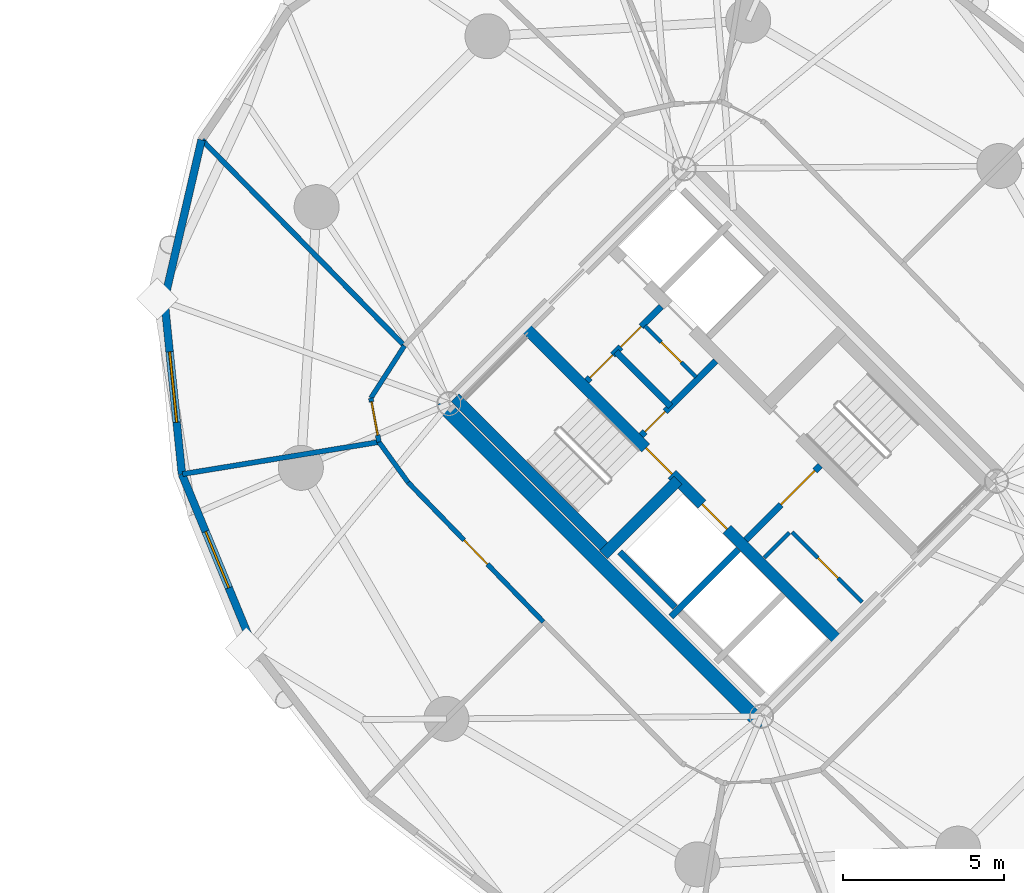
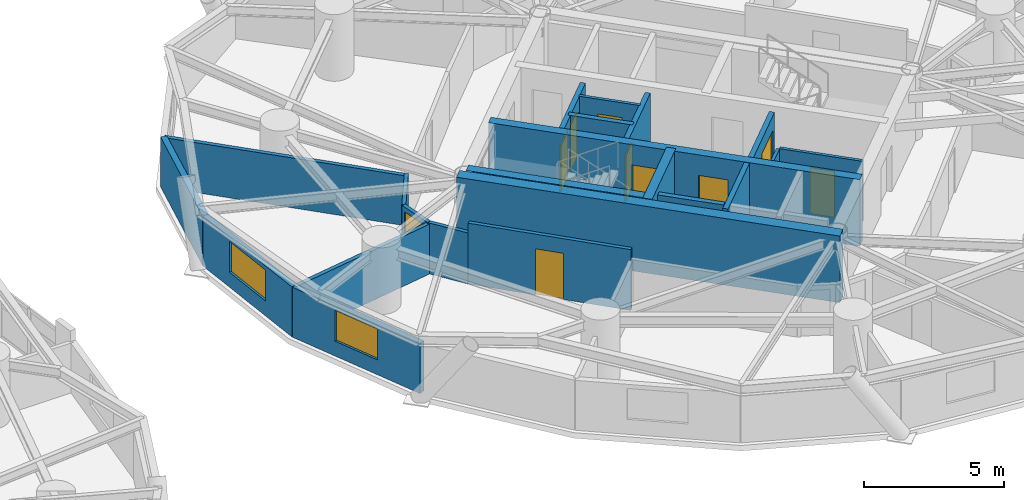
# One storey, part 13 of 19: 22 walls, 10 doors, 2 windows, 12 openings.
"""IFC4 building model written with IfcOpenShell, lengths in metres."""

from ifc_helpers import new_model, si_unit, direction, frame, frame_2d, origin, place, context, subcontext, project, spatial, rectangle, extrude, source, transform, mapped, material, layer, layer_set, type_object, element, fill, save


model = new_model("IFC4")

# Units and contexts
model_context = context("Model", 3, precision=1e-05, world=origin(), true_north=direction((0.0, 1.0)))
body_context = subcontext(model_context, "Body", "Model", "MODEL_VIEW")
ifc_project = project(units=[si_unit("LENGTHUNIT", "METRE"), si_unit("AREAUNIT", "SQUARE_METRE"), si_unit("VOLUMEUNIT", "CUBIC_METRE"), si_unit("PLANEANGLEUNIT", "RADIAN"), si_unit("MASSUNIT", "GRAM", prefix="KILO")], contexts=[model_context])

# Site, building, storey
site_placement = place(None, origin())
site = spatial("IfcSite", under=ifc_project, at=site_placement, CompositionType="ELEMENT")
building_placement = place(site_placement, origin())
building = spatial("IfcBuilding", under=site, at=building_placement, Name="Cununo Teusaquillo Station Towers", CompositionType="ELEMENT")
storey_placement = place(building_placement, frame((0.0, 0.0, 84.699951171875)))
storey = spatial("IfcBuildingStorey", under=building, at=storey_placement, Name="L26", CompositionType="ELEMENT", Elevation=84.699951171875)

# Walls
ifc_material_1 = material(Name="Concrete C50/60", Category="concrete")
ifc_layer_1 = layer(ifc_material_1, 0.199951171875)
ifc_layer_set_1 = layer_set([ifc_layer_1], Name="Concrete C50/60")
wall_type_1 = type_object("IfcWallType", Name="WL-CORE-200", PredefinedType="SHEAR", material=ifc_layer_set_1)
wall_1_placement = place(storey_placement, frame((55.8876953125, 19.0693359375, 0.0), z_axis=(0.0, 0.0, 1.0), x_axis=(0.707106781187, 0.707106781187, 0.0)))
element("IfcWall", 1, at=wall_1_placement, inside=storey, type_object=wall_type_1, Name="L26 Tower B Firefighting Lift Shaft South Shear Wall", PredefinedType="SHEAR", context=body_context, shape_type="SweptSolid", body=[
    extrude(rectangle(XDim=2.969970703125, YDim=0.199951171875, at=frame_2d((1.48486328125, 0.0))), origin(), (0.0, 0.0, 1.0), 2.91015625),
])
wall_2_placement = place(storey_placement, frame((56.01513671875, 19.366455078125, 0.0), z_axis=(0.0, 0.0, 1.0), x_axis=(-0.707106781187, 0.707106781187, 0.0)))
element("IfcWall", 2, at=wall_2_placement, inside=storey, type_object=wall_type_1, Name="L26 Tower B Firefighting Lift Shaft Rear Shear Wall", PredefinedType="SHEAR", context=body_context, shape_type="SweptSolid", body=[
    extrude(rectangle(XDim=2.43994140625, YDim=0.199951171875, at=frame_2d((1.219970703125, 0.0))), origin(), (0.0, 0.0, 1.0), 2.91015625),
])

# Wall, openings, doors
ifc_material_2 = material(Name="Concrete C50/60", Category="concrete")
ifc_layer_2 = layer(ifc_material_2, 0.35009765625)
ifc_layer_set_2 = layer_set([ifc_layer_2], Name="Concrete C50/60")
wall_type_2 = type_object("IfcWallType", Name="WL-CORE-350", PredefinedType="SHEAR", material=ifc_layer_set_2)
wall_3_placement = place(storey_placement, frame((61.077880859375, 18.355224609375, 0.0), z_axis=(0.0, 0.0, 1.0), x_axis=(-0.707106781187, 0.707106781187, 0.0)))
wall_3 = element("IfcWall", 3, at=wall_3_placement, inside=storey, type_object=wall_type_2, Name="L26 Tower B Core Shear Wall IW", PredefinedType="SHEAR", context=body_context, shape_type="SweptSolid", body=[
    extrude(rectangle(XDim=13.75, YDim=0.35009765625, at=frame_2d((6.875, 0.0))), origin(), (0.0, 0.0, 1.0), 2.91015625),
])
shared_shape_1 = source(origin(), body_context, "Body", "SweptSolid", [
    extrude(rectangle(XDim=1.10009765625, YDim=2.014892578125, at=frame_2d((0.550048828125, 1.00732421875))), frame((0.0, 0.18505859375, 0.0), z_axis=(0.0, -1.0, 0.0), x_axis=(1.0, 0.0, 0.0)), (0.0, 0.0, 1.0), 0.3701171875),
])
opening_1_placement = place(wall_3_placement, frame((4.875, 0.0, 0.0)))
opening_1 = element("IfcOpeningElement", 4, at=opening_1_placement, cuts=wall_3, Name="Opening LD-01", PredefinedType="OPENING", context=body_context, shape_type="MappedRepresentation", body=[
    mapped(shared_shape_1, transform((0.0, 0.0, 0.0), x_axis=(1.0, 0.0, 0.0), y_axis=(0.0, 1.0, 0.0), z_axis=(0.0, 0.0, 1.0), scale=1.0)),
])
shared_shape_2 = source(origin(), body_context, "Body", "SweptSolid", [
    extrude(rectangle(XDim=1.14990234375, YDim=2.02001953125, at=frame_2d((0.574951171875, 1.010009765625))), frame((0.0, 0.18505859375, 0.0), z_axis=(0.0, -1.0, 0.0), x_axis=(1.0, 0.0, 0.0)), (0.0, 0.0, 1.0), 0.3701171875),
])
opening_2_placement = place(wall_3_placement, frame((7.294921875, 0.0, 0.0)))
opening_2 = element("IfcOpeningElement", 5, at=opening_2_placement, cuts=wall_3, Name="Opening D-ST1", PredefinedType="OPENING", context=body_context, shape_type="MappedRepresentation", body=[
    mapped(shared_shape_2, transform((0.0, 0.0, 0.0), x_axis=(1.0, 0.0, 0.0), y_axis=(0.0, 1.0, 0.0), z_axis=(0.0, 0.0, 1.0), scale=1.0)),
])
ifc_material_3 = material(Name="Galvanised fire-rated hollow steel door assembly", Category="steel")
door_type_1 = type_object("IfcDoorType", Name="DR-LIFT-1100", OperationType="SLIDING_TO_LEFT", PredefinedType="DOOR", material=ifc_material_3)
shared_shape_3 = source(origin(), body_context, "Body", "SweptSolid", [
    extrude(rectangle(XDim=1.10009765625, YDim=2.014892578125, at=frame_2d((0.550048828125, 1.00732421875))), frame((0.0, 0.02490234375, 0.0), z_axis=(0.0, -1.0, 0.0), x_axis=(1.0, 0.0, 0.0)), (0.0, 0.0, 1.0), 0.050048828125),
])
door_1_placement = place(opening_1_placement, origin())
door_1 = element("IfcDoor", 6, at=door_1_placement, inside=storey, type_object=door_type_1, Name="L26 Lift FL-T2 Sliding Landing Door", OperationType="SLIDING_TO_RIGHT", OverallHeight=2.014892578125, OverallWidth=1.10009765625, PredefinedType="DOOR", context=body_context, shape_type="MappedRepresentation", body=[
    mapped(shared_shape_3, transform((0.0, 0.0, 0.0), x_axis=(1.0, 0.0, 0.0), y_axis=(0.0, 1.0, 0.0), z_axis=(0.0, 0.0, 1.0), scale=1.0)),
])
fill(opening_1, door_1)
ifc_material_4 = material(Name="Galvanised fire-rated hollow steel door assembly", Category="steel")
door_type_2 = type_object("IfcDoorType", Name="DR-STAIR-1150", OperationType="NOTDEFINED", PredefinedType="DOOR", material=ifc_material_4)
shared_shape_4 = source(origin(), body_context, "Body", "SweptSolid", [
    extrude(rectangle(XDim=1.14990234375, YDim=2.02001953125, at=frame_2d((0.574951171875, 1.010009765625))), frame((0.0, 0.02490234375, 0.0), z_axis=(0.0, -1.0, 0.0), x_axis=(1.0, 0.0, 0.0)), (0.0, 0.0, 1.0), 0.050048828125),
])
door_2_placement = place(opening_2_placement, origin())
door_2 = element("IfcDoor", 7, at=door_2_placement, inside=storey, type_object=door_type_2, Name="L26 Tower B Exit Stair 1 Fire Door", OperationType="SINGLE_SWING_RIGHT", OverallHeight=2.02001953125, OverallWidth=1.14990234375, PredefinedType="DOOR", context=body_context, shape_type="MappedRepresentation", body=[
    mapped(shared_shape_4, transform((0.0, 0.0, 0.0), x_axis=(1.0, 0.0, 0.0), y_axis=(0.0, 1.0, 0.0), z_axis=(0.0, 0.0, 1.0), scale=1.0)),
])
fill(opening_2, door_2)

# Walls
wall_4_placement = place(storey_placement, frame((53.922119140625, 21.14111328125, 0.0), z_axis=(0.0, 0.0, 1.0), x_axis=(-0.707088616009, 0.707124945897, 0.0)))
element("IfcWall", 8, at=wall_4_placement, inside=storey, type_object=wall_type_2, Name="L26 Tower B Core Shear Wall ST1W", PredefinedType="SHEAR", context=body_context, shape_type="SweptSolid", body=[
    extrude(rectangle(XDim=6.72021484375, YDim=0.35009765625, at=frame_2d((3.360107421875, 0.0))), origin(), (0.0, 0.0, 1.0), 2.91015625),
])
wall_5_placement = place(storey_placement, frame((53.7841796875, 21.00341796875, 0.0), z_axis=(0.0, 0.0, 1.0), x_axis=(0.707106781187, 0.707106781187, 0.0)))
element("IfcWall", 9, at=wall_5_placement, inside=storey, type_object=wall_type_2, Name="L26 Tower B Core Shear Wall ST1S", PredefinedType="SHEAR", context=body_context, shape_type="SweptSolid", body=[
    extrude(rectangle(XDim=3.284912109375, YDim=0.35009765625, at=frame_2d((1.642578125, 0.0))), origin(), (0.0, 0.0, 1.0), 2.91015625),
])
ifc_material_5 = material(Name="Concrete C60/75", Category="concrete")
ifc_layer_3 = layer(ifc_material_5, 0.449951171875)
ifc_layer_set_3 = layer_set([ifc_layer_3], Name="Concrete C60/75")
wall_type_3 = type_object("IfcWallType", Name="WL-CORE-450", PredefinedType="SHEAR", material=ifc_layer_set_3)
wall_6_placement = place(storey_placement, frame((58.7373046875, 15.696533203125, 0.0), z_axis=(0.0, 0.0, 1.0), x_axis=(-0.707106781187, 0.707106781187, 0.0)))
element("IfcWall", 10, at=wall_6_placement, inside=storey, type_object=wall_type_3, Name="L26 Tower B Core Shear Wall W", PredefinedType="SHEAR", context=body_context, shape_type="SweptSolid", body=[
    extrude(rectangle(XDim=14.19970703125, YDim=0.449951171875, at=frame_2d((7.099853515625, 0.0))), origin(), (0.0, 0.0, 1.0), 2.91015625),
])
ifc_material_6 = material(Name="Precast concrete C40/50", Category="concrete")
ifc_layer_4 = layer(ifc_material_6, 0.239990234375)
ifc_layer_set_4 = layer_set([ifc_layer_4], Name="Precast concrete C40/50")
wall_type_4 = type_object("IfcWallType", Name="WL-EXT-240", PredefinedType="SOLIDWALL", material=ifc_layer_set_4)
wall_7_placement = place(storey_placement, frame((40.114990234375, 28.933349609375, 0.0), z_axis=(0.0, 0.0, 1.0), x_axis=(0.225834725257, 0.974165631126, 0.0)))
element("IfcWall", 11, at=wall_7_placement, inside=storey, type_object=wall_type_4, Name="L26 Tower B Exterior Facade Wall C06", PredefinedType="SOLIDWALL", context=body_context, shape_type="SweptSolid", body=[
    extrude(rectangle(XDim=5.118896484375, YDim=0.239990234375, at=frame_2d((2.5595703125, 0.0))), origin(), (0.0, 0.0, 1.0), 2.178955078125),
])

# Wall, opening, window
wall_8_placement = place(storey_placement, frame((40.66064453125, 23.5126953125, 0.0), z_axis=(0.0, 0.0, 1.0), x_axis=(-0.10015591906, 0.994971754311, 0.0)))
wall_8 = element("IfcWall", 12, at=wall_8_placement, inside=storey, type_object=wall_type_4, Name="L26 Tower B Exterior Facade Wall C07", PredefinedType="SOLIDWALL", context=body_context, shape_type="SweptSolid", body=[
    extrude(rectangle(XDim=5.447998046875, YDim=0.239990234375, at=frame_2d((2.72412109375, 0.0))), origin(), (0.0, 0.0, 1.0), 2.178955078125),
])
shared_shape_5 = source(origin(), body_context, "Body", "SweptSolid", [
    extrude(rectangle(XDim=2.199951171875, YDim=1.35009765625, at=frame_2d((1.10009765625, 0.675048828125))), frame((0.0, 0.1298828125, 0.0), z_axis=(0.0, -1.0, 0.0), x_axis=(1.0, 0.0, 0.0)), (0.0, 0.0, 1.0), 0.260009765625),
])
opening_3_placement = place(wall_8_placement, frame((1.6240234375, 0.0, 0.64990234375)))
opening_3 = element("IfcOpeningElement", 13, at=opening_3_placement, cuts=wall_8, Name="Opening WN-01", PredefinedType="OPENING", context=body_context, shape_type="MappedRepresentation", body=[
    mapped(shared_shape_5, transform((0.0, 0.0, 0.0), x_axis=(1.0, 0.0, 0.0), y_axis=(0.0, 1.0, 0.0), z_axis=(0.0, 0.0, 1.0), scale=1.0)),
])
ifc_material_7 = material(Name="Ceramic-fritted dark low-E double glazing", Category="glass")
window_type_1 = type_object("IfcWindowType", Name="WIN-FRIT-2200", PartitioningType="DOUBLE_PANEL_VERTICAL", PredefinedType="WINDOW", material=ifc_material_7)
shared_shape_6 = source(origin(), body_context, "Body", "SweptSolid", [
    extrude(rectangle(XDim=2.199951171875, YDim=1.35009765625, at=frame_2d((1.10009765625, 0.675048828125))), frame((0.0, 0.030029296875, 0.0), z_axis=(0.0, -1.0, 0.0), x_axis=(1.0, 0.0, 0.0)), (0.0, 0.0, 1.0), 0.06005859375),
])
window_1_placement = place(opening_3_placement, origin())
window_1 = element("IfcWindow", 14, at=window_1_placement, inside=storey, type_object=window_type_1, Name="L26 Tower B Facade Window C07", OverallHeight=1.35009765625, OverallWidth=2.199951171875, PartitioningType="DOUBLE_PANEL_VERTICAL", PredefinedType="WINDOW", context=body_context, shape_type="MappedRepresentation", body=[
    mapped(shared_shape_6, transform((0.0, 0.0, 0.0), x_axis=(1.0, 0.0, 0.0), y_axis=(0.0, 1.0, 0.0), z_axis=(0.0, 0.0, 1.0), scale=1.0)),
])
fill(opening_3, window_1)

wall_9_placement = place(storey_placement, frame((42.854736328125, 18.188720703125, 0.0), z_axis=(0.0, 0.0, 1.0), x_axis=(-0.381027003055, 0.924563909604, 0.0)))
wall_9 = element("IfcWall", 15, at=wall_9_placement, inside=storey, type_object=wall_type_4, Name="L26 Tower B Exterior Facade Wall C08", PredefinedType="SOLIDWALL", context=body_context, shape_type="SweptSolid", body=[
    extrude(rectangle(XDim=5.75830078125, YDim=0.239990234375, at=frame_2d((2.879150390625, 0.0))), origin(), (0.0, 0.0, 1.0), 2.178955078125),
])
shared_shape_7 = source(origin(), body_context, "Body", "SweptSolid", [
    extrude(rectangle(XDim=1.89990234375, YDim=1.35009765625, at=frame_2d((0.949951171875, 0.675048828125))), frame((0.0, 0.1298828125, 0.0), z_axis=(0.0, -1.0, 0.0), x_axis=(1.0, 0.0, 0.0)), (0.0, 0.0, 1.0), 0.260009765625),
])
opening_4_placement = place(wall_9_placement, frame((1.928955078125, 0.0, 0.64990234375)))
opening_4 = element("IfcOpeningElement", 16, at=opening_4_placement, cuts=wall_9, Name="Opening WN-02", PredefinedType="OPENING", context=body_context, shape_type="MappedRepresentation", body=[
    mapped(shared_shape_7, transform((0.0, 0.0, 0.0), x_axis=(1.0, 0.0, 0.0), y_axis=(0.0, 1.0, 0.0), z_axis=(0.0, 0.0, 1.0), scale=1.0)),
])
ifc_material_8 = material(Name="Operable acoustic tinted low-E double glazing", Category="glass")
window_type_2 = type_object("IfcWindowType", Name="WIN-OPER-1900", PartitioningType="DOUBLE_PANEL_VERTICAL", PredefinedType="WINDOW", material=ifc_material_8)
shared_shape_8 = source(origin(), body_context, "Body", "SweptSolid", [
    extrude(rectangle(XDim=1.89990234375, YDim=1.35009765625, at=frame_2d((0.949951171875, 0.675048828125))), frame((0.0, 0.030029296875, 0.0), z_axis=(0.0, -1.0, 0.0), x_axis=(1.0, 0.0, 0.0)), (0.0, 0.0, 1.0), 0.06005859375),
])
window_2_placement = place(opening_4_placement, origin())
window_2 = element("IfcWindow", 17, at=window_2_placement, inside=storey, type_object=window_type_2, Name="L26 Tower B Facade Window C08", OverallHeight=1.35009765625, OverallWidth=1.89990234375, PartitioningType="DOUBLE_PANEL_VERTICAL", PredefinedType="WINDOW", context=body_context, shape_type="MappedRepresentation", body=[
    mapped(shared_shape_8, transform((0.0, 0.0, 0.0), x_axis=(1.0, 0.0, 0.0), y_axis=(0.0, 1.0, 0.0), z_axis=(0.0, 0.0, 1.0), scale=1.0)),
])
fill(opening_4, window_2)

# Wall, opening, door
ifc_material_9 = material(Name="Fire-rated gypsum plasterboard partition assembly", Category="gypsum")
ifc_layer_5 = layer(ifc_material_9, 0.125)
ifc_layer_set_5 = layer_set([ifc_layer_5], Name="Fire-rated gypsum plasterboard partition assembly")
wall_type_5 = type_object("IfcWallType", Name="WL-PART-125", PredefinedType="PARTITIONING", material=ifc_layer_set_5)
wall_10_placement = place(storey_placement, frame((61.834716796875, 19.529052734375, 0.0), z_axis=(0.0, 0.0, 1.0), x_axis=(-0.707146413884, 0.707067146267, 0.0)))
wall_10 = element("IfcWall", 18, at=wall_10_placement, inside=storey, type_object=wall_type_5, Name="L26 Tower B South-West Tall Store East Wall", PredefinedType="PARTITIONING", context=body_context, shape_type="SweptSolid", body=[
    extrude(rectangle(XDim=3.079833984375, YDim=0.125, at=frame_2d((1.5400390625, 0.0))), origin(), (0.0, 0.0, 1.0), 2.655029296875),
])
shared_shape_9 = source(origin(), body_context, "Body", "SweptSolid", [
    extrude(rectangle(XDim=0.89990234375, YDim=2.0048828125, at=frame_2d((0.449951171875, 1.00244140625))), frame((0.0, 0.072509765625, 0.0), z_axis=(0.0, -1.0, 0.0), x_axis=(1.0, 0.0, 0.0)), (0.0, 0.0, 1.0), 0.14501953125),
])
opening_5_placement = place(wall_10_placement, frame((1.050048828125, 0.0, 0.0)))
opening_5 = element("IfcOpeningElement", 19, at=opening_5_placement, cuts=wall_10, Name="Opening D-SR1", PredefinedType="OPENING", context=body_context, shape_type="MappedRepresentation", body=[
    mapped(shared_shape_9, transform((0.0, 0.0, 0.0), x_axis=(1.0, 0.0, 0.0), y_axis=(0.0, 1.0, 0.0), z_axis=(0.0, 0.0, 1.0), scale=1.0)),
])
ifc_material_10 = material(Name="Galvanised fire-rated hollow steel door assembly", Category="steel")
door_type_3 = type_object("IfcDoorType", Name="DR-STORE-900", OperationType="NOTDEFINED", PredefinedType="DOOR", material=ifc_material_10)
shared_shape_10 = source(origin(), body_context, "Body", "SweptSolid", [
    extrude(rectangle(XDim=0.89990234375, YDim=2.0048828125, at=frame_2d((0.449951171875, 1.00244140625))), frame((0.0, 0.02490234375, 0.0), z_axis=(0.0, -1.0, 0.0), x_axis=(1.0, 0.0, 0.0)), (0.0, 0.0, 1.0), 0.050048828125),
])
door_3_placement = place(opening_5_placement, origin())
door_3 = element("IfcDoor", 20, at=door_3_placement, inside=storey, type_object=door_type_3, Name="L26 Tower B South Cleaners Store Door", OperationType="SINGLE_SWING_RIGHT", OverallHeight=2.0048828125, OverallWidth=0.89990234375, PredefinedType="DOOR", context=body_context, shape_type="MappedRepresentation", body=[
    mapped(shared_shape_10, transform((0.0, 0.0, 0.0), x_axis=(1.0, 0.0, 0.0), y_axis=(0.0, 1.0, 0.0), z_axis=(0.0, 0.0, 1.0), scale=1.0)),
])
fill(opening_5, door_3)

# Wall
wall_11_placement = place(storey_placement, frame((58.7939453125, 20.9150390625, 0.0), z_axis=(0.0, 0.0, 1.0), x_axis=(0.707106781187, 0.707106781187, 0.0)))
element("IfcWall", 21, at=wall_11_placement, inside=storey, type_object=wall_type_5, Name="L26 Tower B South-West Tall Store North Wall", PredefinedType="PARTITIONING", context=body_context, shape_type="SweptSolid", body=[
    extrude(rectangle(XDim=1.10009765625, YDim=0.125, at=frame_2d((0.550048828125, 0.0))), origin(), (0.0, 0.0, 1.0), 2.655029296875),
])

# Wall, opening, door
wall_12_placement = place(storey_placement, frame((56.672607421875, 26.529296875, 0.0), z_axis=(0.0, 0.0, 1.0), x_axis=(-0.707052764397, 0.70716079385, 0.0)))
wall_12 = element("IfcWall", 22, at=wall_12_placement, inside=storey, type_object=wall_type_5, Name="L26 Tower B Core Vertical Split Wall", PredefinedType="PARTITIONING", context=body_context, shape_type="SweptSolid", body=[
    extrude(rectangle(XDim=2.260009765625, YDim=0.125, at=frame_2d((1.1298828125, 0.0))), origin(), (0.0, 0.0, 1.0), 2.655029296875),
])
opening_6_placement = place(wall_12_placement, frame((0.64990234375, 0.0, 0.0)))
opening_6 = element("IfcOpeningElement", 23, at=opening_6_placement, cuts=wall_12, Name="Opening D-SR1", PredefinedType="OPENING", context=body_context, shape_type="MappedRepresentation", body=[
    mapped(shared_shape_9, transform((0.0, 0.0, 0.0), x_axis=(1.0, 0.0, 0.0), y_axis=(0.0, 1.0, 0.0), z_axis=(0.0, 0.0, 1.0), scale=1.0)),
])
door_4_placement = place(opening_6_placement, origin())
door_4 = element("IfcDoor", 24, at=door_4_placement, inside=storey, type_object=door_type_3, Name="L26 Tower B Core Electrical Room Door", OperationType="SINGLE_SWING_RIGHT", OverallHeight=2.0048828125, OverallWidth=0.89990234375, PredefinedType="DOOR", context=body_context, shape_type="MappedRepresentation", body=[
    mapped(shared_shape_10, transform((0.0, 0.0, 0.0), x_axis=(1.0, 0.0, 0.0), y_axis=(0.0, 1.0, 0.0), z_axis=(0.0, 0.0, 1.0), scale=1.0)),
])
fill(opening_6, door_4)

# Wall
ifc_material_11 = material(Name="Fire-rated gypsum plasterboard partition assembly", Category="gypsum")
ifc_layer_6 = layer(ifc_material_11, 0.14990234375)
ifc_layer_set_6 = layer_set([ifc_layer_6], Name="Fire-rated gypsum plasterboard partition assembly")
wall_type_6 = type_object("IfcWallType", Name="WL-PART-150", PredefinedType="PARTITIONING", material=ifc_layer_set_6)
wall_13_placement = place(storey_placement, frame((47.58837890625, 27.51025390625, 0.0), z_axis=(0.0, 0.0, 1.0), x_axis=(-0.540202619347, -0.841534984449, 0.0)))
element("IfcWall", 25, at=wall_13_placement, inside=storey, type_object=wall_type_6, Name="L26 Tower B Corridor Ring Wall C06", PredefinedType="PARTITIONING", context=body_context, shape_type="SweptSolid", body=[
    extrude(rectangle(XDim=1.934814453125, YDim=0.14990234375, at=frame_2d((0.96728515625, 0.0))), origin(), (0.0, 0.0, 1.0), 2.22509765625),
])

# Wall, opening, door
wall_14_placement = place(storey_placement, frame((46.543212890625, 25.882080078125, 0.0), z_axis=(0.0, 0.0, 1.0), x_axis=(0.181153502579, -0.983454832976, 0.0)))
wall_14 = element("IfcWall", 26, at=wall_14_placement, inside=storey, type_object=wall_type_6, Name="L26 Tower B Corridor Ring Wall C07", PredefinedType="PARTITIONING", context=body_context, shape_type="SweptSolid", body=[
    extrude(rectangle(XDim=1.39208984375, YDim=0.14990234375, at=frame_2d((0.696044921875, 0.0))), origin(), (0.0, 0.0, 1.0), 2.22509765625),
])
shared_shape_11 = source(origin(), body_context, "Body", "SweptSolid", [
    extrude(rectangle(XDim=1.050048828125, YDim=2.014892578125, at=frame_2d((0.52490234375, 1.00732421875))), frame((0.0, 0.0849609375, 0.0), z_axis=(0.0, -1.0, 0.0), x_axis=(1.0, 0.0, 0.0)), (0.0, 0.0, 1.0), 0.169921875),
])
opening_7_placement = place(wall_14_placement, frame((0.1201171875, 0.0, 0.0)))
opening_7 = element("IfcOpeningElement", 27, at=opening_7_placement, cuts=wall_14, Name="Opening D-SU1", PredefinedType="OPENING", context=body_context, shape_type="MappedRepresentation", body=[
    mapped(shared_shape_11, transform((0.0, 0.0, 0.0), x_axis=(1.0, 0.0, 0.0), y_axis=(0.0, 1.0, 0.0), z_axis=(0.0, 0.0, 1.0), scale=1.0)),
])
ifc_material_12 = material(Name="Acoustic solid-core hardwood leaf assembly", Category="wood")
door_type_4 = type_object("IfcDoorType", Name="DR-SUITE-1050", OperationType="NOTDEFINED", PredefinedType="DOOR", material=ifc_material_12)
shared_shape_12 = source(origin(), body_context, "Body", "SweptSolid", [
    extrude(rectangle(XDim=1.050048828125, YDim=2.014892578125, at=frame_2d((0.52490234375, 1.00732421875))), frame((0.0, 0.02490234375, 0.0), z_axis=(0.0, -1.0, 0.0), x_axis=(1.0, 0.0, 0.0)), (0.0, 0.0, 1.0), 0.050048828125),
])
door_5_placement = place(opening_7_placement, origin())
door_5 = element("IfcDoor", 28, at=door_5_placement, inside=storey, type_object=door_type_4, Name="L26 Tower B Legal Research Library Entrance Door", OperationType="SINGLE_SWING_RIGHT", OverallHeight=2.014892578125, OverallWidth=1.050048828125, PredefinedType="DOOR", context=body_context, shape_type="MappedRepresentation", body=[
    mapped(shared_shape_12, transform((0.0, 0.0, 0.0), x_axis=(1.0, 0.0, 0.0), y_axis=(0.0, 1.0, 0.0), z_axis=(0.0, 0.0, 1.0), scale=1.0)),
])
fill(opening_7, door_5)

# Wall
wall_15_placement = place(storey_placement, frame((46.79541015625, 24.512939453125, 0.0), z_axis=(0.0, 0.0, 1.0), x_axis=(0.585628197524, -0.810579801294, 0.0)))
element("IfcWall", 29, at=wall_15_placement, inside=storey, type_object=wall_type_6, Name="L26 Tower B Corridor Ring Wall C08", PredefinedType="PARTITIONING", context=body_context, shape_type="SweptSolid", body=[
    extrude(rectangle(XDim=1.55419921875, YDim=0.14990234375, at=frame_2d((0.777099609375, 0.0))), origin(), (0.0, 0.0, 1.0), 2.22509765625),
])

# Wall, opening, door
wall_16_placement = place(storey_placement, frame((47.70556640625, 23.253173828125, 0.0), z_axis=(0.0, 0.0, 1.0), x_axis=(0.696179266346, -0.717867974707, 0.0)))
wall_16 = element("IfcWall", 30, at=wall_16_placement, inside=storey, type_object=wall_type_6, Name="L26 Tower B Corridor Ring Wall C09", PredefinedType="PARTITIONING", context=body_context, shape_type="SweptSolid", body=[
    extrude(rectangle(XDim=6.044677734375, YDim=0.14990234375, at=frame_2d((3.0224609375, 0.0))), origin(), (0.0, 0.0, 1.0), 2.655029296875),
])
opening_8_placement = place(wall_16_placement, frame((2.497314453125, 0.0, 0.0)))
opening_8 = element("IfcOpeningElement", 31, at=opening_8_placement, cuts=wall_16, Name="Opening D-SU1", PredefinedType="OPENING", context=body_context, shape_type="MappedRepresentation", body=[
    mapped(shared_shape_11, transform((0.0, 0.0, 0.0), x_axis=(1.0, 0.0, 0.0), y_axis=(0.0, 1.0, 0.0), z_axis=(0.0, 0.0, 1.0), scale=1.0)),
])
door_6_placement = place(opening_8_placement, origin())
door_6 = element("IfcDoor", 32, at=door_6_placement, inside=storey, type_object=door_type_4, Name="L26 Tower B Paralegal Casework Office Entrance Door", OperationType="SINGLE_SWING_LEFT", OverallHeight=2.014892578125, OverallWidth=1.050048828125, PredefinedType="DOOR", context=body_context, shape_type="MappedRepresentation", body=[
    mapped(shared_shape_12, transform((0.0, 0.0, 0.0), x_axis=(1.0, 0.0, 0.0), y_axis=(0.0, 1.0, 0.0), z_axis=(0.0, 0.0, 1.0), scale=1.0)),
])
fill(opening_8, door_6)

# Walls
ifc_material_13 = material(Name="Fire-rated gypsum plasterboard partition assembly", Category="gypsum")
ifc_layer_7 = layer(ifc_material_13, 0.159912109375)
ifc_layer_set_7 = layer_set([ifc_layer_7], Name="Fire-rated gypsum plasterboard partition assembly")
wall_type_7 = type_object("IfcWallType", Name="WL-PART-160", PredefinedType="PARTITIONING", material=ifc_layer_set_7)
wall_17_placement = place(storey_placement, frame((47.58837890625, 27.51025390625, 0.0), z_axis=(0.0, 0.0, 1.0), x_axis=(-0.701457073903, 0.712711704318, 0.0)))
element("IfcWall", 33, at=wall_17_placement, inside=storey, type_object=wall_type_7, Name="L26 Tower B Radial Suite Partition R04", PredefinedType="PARTITIONING", context=body_context, shape_type="SweptSolid", body=[
    extrude(rectangle(XDim=8.980712890625, YDim=0.159912109375, at=frame_2d((4.490234375, 0.0))), origin(), (0.0, 0.0, 1.0), 2.178955078125),
])
wall_18_placement = place(storey_placement, frame((46.79541015625, 24.512939453125, 0.0), z_axis=(0.0, 0.0, 1.0), x_axis=(-0.986966109862, -0.160928238618, 0.0)))
element("IfcWall", 34, at=wall_18_placement, inside=storey, type_object=wall_type_7, Name="L26 Tower B Radial Suite Partition R05", PredefinedType="PARTITIONING", context=body_context, shape_type="SweptSolid", body=[
    extrude(rectangle(XDim=6.19580078125, YDim=0.159912109375, at=frame_2d((3.097900390625, 0.0))), origin(), (0.0, 0.0, 1.0), 2.178955078125),
])

# Wall, opening, door
ifc_material_14 = material(Name="Fire-rated gypsum plasterboard partition assembly", Category="gypsum")
ifc_layer_8 = layer(ifc_material_14, 0.199951171875)
ifc_layer_set_8 = layer_set([ifc_layer_8], Name="Fire-rated gypsum plasterboard partition assembly")
wall_type_8 = type_object("IfcWallType", Name="WL-PART-200", PredefinedType="PARTITIONING", material=ifc_layer_set_8)
wall_19_placement = place(storey_placement, frame((58.214111328125, 21.466552734375, 0.0), z_axis=(0.0, 0.0, 1.0), x_axis=(0.707106781187, 0.707106781187, 0.0)))
wall_19 = element("IfcWall", 35, at=wall_19_placement, inside=storey, type_object=wall_type_8, Name="L26 Tower B Firefighting Lift Lobby South Fire Wall", PredefinedType="PARTITIONING", context=body_context, shape_type="SweptSolid", body=[
    extrude(rectangle(XDim=3.280029296875, YDim=0.199951171875, at=frame_2d((1.64013671875, 0.0))), origin(), (0.0, 0.0, 1.0), 2.655029296875),
])
shared_shape_13 = source(origin(), body_context, "Body", "SweptSolid", [
    extrude(rectangle(XDim=1.5, YDim=2.02001953125, at=frame_2d((0.75, 1.010009765625))), frame((0.0, 0.10986328125, 0.0), z_axis=(0.0, -1.0, 0.0), x_axis=(1.0, 0.0, 0.0)), (0.0, 0.0, 1.0), 0.219970703125),
])
opening_9_placement = place(wall_19_placement, frame((1.550048828125, 0.0, 0.0)))
opening_9 = element("IfcOpeningElement", 36, at=opening_9_placement, cuts=wall_19, Name="Opening D-LB1", PredefinedType="OPENING", context=body_context, shape_type="MappedRepresentation", body=[
    mapped(shared_shape_13, transform((0.0, 0.0, 0.0), x_axis=(1.0, 0.0, 0.0), y_axis=(0.0, 1.0, 0.0), z_axis=(0.0, 0.0, 1.0), scale=1.0)),
])
ifc_material_15 = material(Name="Galvanised fire-rated hollow steel door assembly", Category="steel")
door_type_5 = type_object("IfcDoorType", Name="DR-LOBBY-1500", OperationType="DOUBLE_DOOR_SINGLE_SWING", PredefinedType="DOOR", material=ifc_material_15)
shared_shape_14 = source(origin(), body_context, "Body", "SweptSolid", [
    extrude(rectangle(XDim=1.5, YDim=2.02001953125, at=frame_2d((0.75, 1.010009765625))), frame((0.0, 0.02490234375, 0.0), z_axis=(0.0, -1.0, 0.0), x_axis=(1.0, 0.0, 0.0)), (0.0, 0.0, 1.0), 0.050048828125),
])
door_7_placement = place(opening_9_placement, origin())
door_7 = element("IfcDoor", 37, at=door_7_placement, inside=storey, type_object=door_type_5, Name="L26 Tower B Firefighting Lift Lobby South Fire Door", OperationType="DOUBLE_DOOR_SINGLE_SWING", OverallHeight=2.02001953125, OverallWidth=1.5, PredefinedType="DOOR", context=body_context, shape_type="MappedRepresentation", body=[
    mapped(shared_shape_14, transform((0.0, 0.0, 0.0), x_axis=(1.0, 0.0, 0.0), y_axis=(0.0, 1.0, 0.0), z_axis=(0.0, 0.0, 1.0), scale=1.0)),
])
fill(opening_9, door_7)

wall_20_placement = place(storey_placement, frame((54.96142578125, 24.71923828125, 0.0), z_axis=(0.0, 0.0, 1.0), x_axis=(0.707106781187, 0.707106781187, 0.0)))
wall_20 = element("IfcWall", 38, at=wall_20_placement, inside=storey, type_object=wall_type_8, Name="L26 Tower B Firefighting Lift Lobby North Fire Wall", PredefinedType="PARTITIONING", context=body_context, shape_type="SweptSolid", body=[
    extrude(rectangle(XDim=3.280029296875, YDim=0.199951171875, at=frame_2d((1.64013671875, 0.0))), origin(), (0.0, 0.0, 1.0), 2.655029296875),
])
shared_shape_15 = source(origin(), body_context, "Body", "SweptSolid", [
    extrude(rectangle(XDim=0.89990234375, YDim=2.0048828125, at=frame_2d((0.449951171875, 1.00244140625))), frame((0.0, 0.10986328125, 0.0), z_axis=(0.0, -1.0, 0.0), x_axis=(1.0, 0.0, 0.0)), (0.0, 0.0, 1.0), 0.219970703125),
])
opening_10_placement = place(wall_20_placement, frame((0.159912109375, 0.0, 0.0)))
opening_10 = element("IfcOpeningElement", 39, at=opening_10_placement, cuts=wall_20, Name="Opening D-SR1", PredefinedType="OPENING", context=body_context, shape_type="MappedRepresentation", body=[
    mapped(shared_shape_15, transform((0.0, 0.0, 0.0), x_axis=(1.0, 0.0, 0.0), y_axis=(0.0, 1.0, 0.0), z_axis=(0.0, 0.0, 1.0), scale=1.0)),
])
door_8_placement = place(opening_10_placement, origin())
door_8 = element("IfcDoor", 40, at=door_8_placement, inside=storey, type_object=door_type_3, Name="L26 Tower B Stair 1 Protected Vestibule South Door", OperationType="SINGLE_SWING_RIGHT", OverallHeight=2.0048828125, OverallWidth=0.89990234375, PredefinedType="DOOR", context=body_context, shape_type="MappedRepresentation", body=[
    mapped(shared_shape_10, transform((0.0, 0.0, 0.0), x_axis=(1.0, 0.0, 0.0), y_axis=(0.0, 1.0, 0.0), z_axis=(0.0, 0.0, 1.0), scale=1.0)),
])
fill(opening_10, door_8)

# Wall
wall_21_placement = place(storey_placement, frame((55.873779296875, 25.63134765625, 0.0), z_axis=(0.0, 0.0, 1.0), x_axis=(-0.707157639372, 0.707055919343, 0.0)))
element("IfcWall", 41, at=wall_21_placement, inside=storey, type_object=wall_type_8, Name="L26 Tower B Stair 1 Vestibule Partition Wall", PredefinedType="PARTITIONING", context=body_context, shape_type="SweptSolid", body=[
    extrude(rectangle(XDim=2.400146484375, YDim=0.199951171875, at=frame_2d((1.2001953125, 0.0))), origin(), (0.0, 0.0, 1.0), 2.655029296875),
])

# Wall, openings, doors
wall_22_placement = place(storey_placement, frame((53.264404296875, 26.416259765625, 0.0), z_axis=(0.0, 0.0, 1.0), x_axis=(0.707106781187, 0.707106781187, 0.0)))
wall_22 = element("IfcWall", 42, at=wall_22_placement, inside=storey, type_object=wall_type_8, Name="L26 Tower B North Lift Lobby South Fire Wall", PredefinedType="PARTITIONING", context=body_context, shape_type="SweptSolid", body=[
    extrude(rectangle(XDim=3.280029296875, YDim=0.199951171875, at=frame_2d((1.64013671875, 0.0))), origin(), (0.0, 0.0, 1.0), 2.655029296875),
])
shared_shape_16 = source(origin(), body_context, "Body", "SweptSolid", [
    extrude(rectangle(XDim=1.0, YDim=2.014892578125, at=frame_2d((0.5, 1.00732421875))), frame((0.0, 0.10986328125, 0.0), z_axis=(0.0, -1.0, 0.0), x_axis=(1.0, 0.0, 0.0)), (0.0, 0.0, 1.0), 0.219970703125),
])
opening_11_placement = place(wall_22_placement, frame((0.139892578125, 0.0, 0.0)))
opening_11 = element("IfcOpeningElement", 43, at=opening_11_placement, cuts=wall_22, Name="Opening D-AC1", PredefinedType="OPENING", context=body_context, shape_type="MappedRepresentation", body=[
    mapped(shared_shape_16, transform((0.0, 0.0, 0.0), x_axis=(1.0, 0.0, 0.0), y_axis=(0.0, 1.0, 0.0), z_axis=(0.0, 0.0, 1.0), scale=1.0)),
])
opening_12_placement = place(wall_22_placement, frame((1.5, 0.0, 0.0)))
opening_12 = element("IfcOpeningElement", 44, at=opening_12_placement, cuts=wall_22, Name="Opening D-SR1", PredefinedType="OPENING", context=body_context, shape_type="MappedRepresentation", body=[
    mapped(shared_shape_15, transform((0.0, 0.0, 0.0), x_axis=(1.0, 0.0, 0.0), y_axis=(0.0, 1.0, 0.0), z_axis=(0.0, 0.0, 1.0), scale=1.0)),
])
door_9_placement = place(opening_12_placement, origin())
door_9 = element("IfcDoor", 45, at=door_9_placement, inside=storey, type_object=door_type_3, Name="L26 Tower B Core Housekeeping Store Door", OperationType="SINGLE_SWING_LEFT", OverallHeight=2.0048828125, OverallWidth=0.89990234375, PredefinedType="DOOR", context=body_context, shape_type="MappedRepresentation", body=[
    mapped(shared_shape_10, transform((0.0, 0.0, 0.0), x_axis=(1.0, 0.0, 0.0), y_axis=(0.0, 1.0, 0.0), z_axis=(0.0, 0.0, 1.0), scale=1.0)),
])
fill(opening_12, door_9)
ifc_material_16 = material(Name="Acoustic solid-core hardwood leaf assembly", Category="wood")
door_type_6 = type_object("IfcDoorType", Name="DR-ACC-1000", OperationType="NOTDEFINED", PredefinedType="DOOR", material=ifc_material_16)
shared_shape_17 = source(origin(), body_context, "Body", "SweptSolid", [
    extrude(rectangle(XDim=1.0, YDim=2.014892578125, at=frame_2d((0.5, 1.00732421875))), frame((0.0, 0.02490234375, 0.0), z_axis=(0.0, -1.0, 0.0), x_axis=(1.0, 0.0, 0.0)), (0.0, 0.0, 1.0), 0.050048828125),
])
door_10_placement = place(opening_11_placement, origin())
door_10 = element("IfcDoor", 46, at=door_10_placement, inside=storey, type_object=door_type_6, Name="L26 Tower B North Lift Lobby to Stair 1 Vestibule Door", OperationType="SINGLE_SWING_LEFT", OverallHeight=2.014892578125, OverallWidth=1.0, PredefinedType="DOOR", context=body_context, shape_type="MappedRepresentation", body=[
    mapped(shared_shape_17, transform((0.0, 0.0, 0.0), x_axis=(1.0, 0.0, 0.0), y_axis=(0.0, 1.0, 0.0), z_axis=(0.0, 0.0, 1.0), scale=1.0)),
])
fill(opening_11, door_10)

save(model, "model.ifc")
